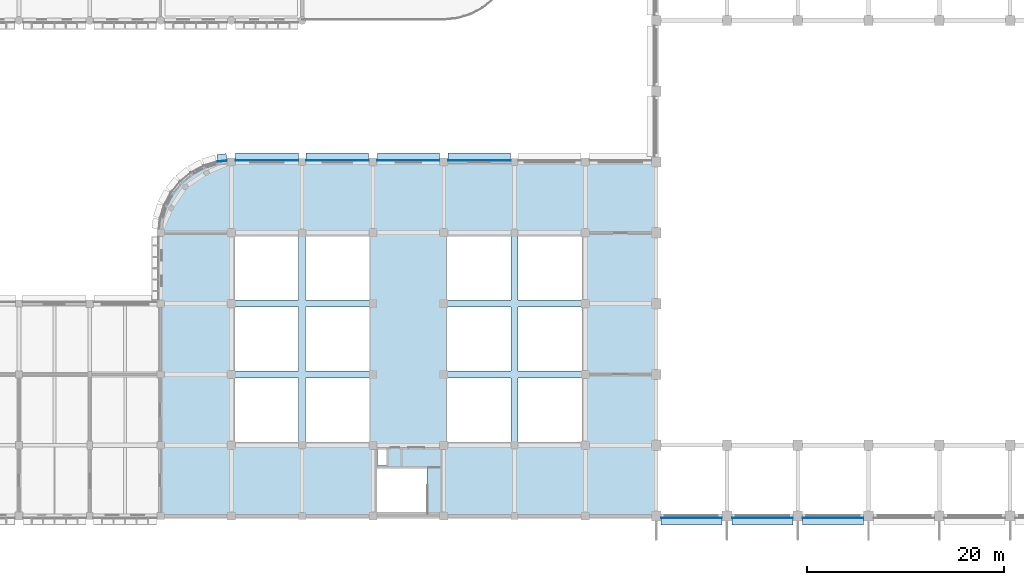
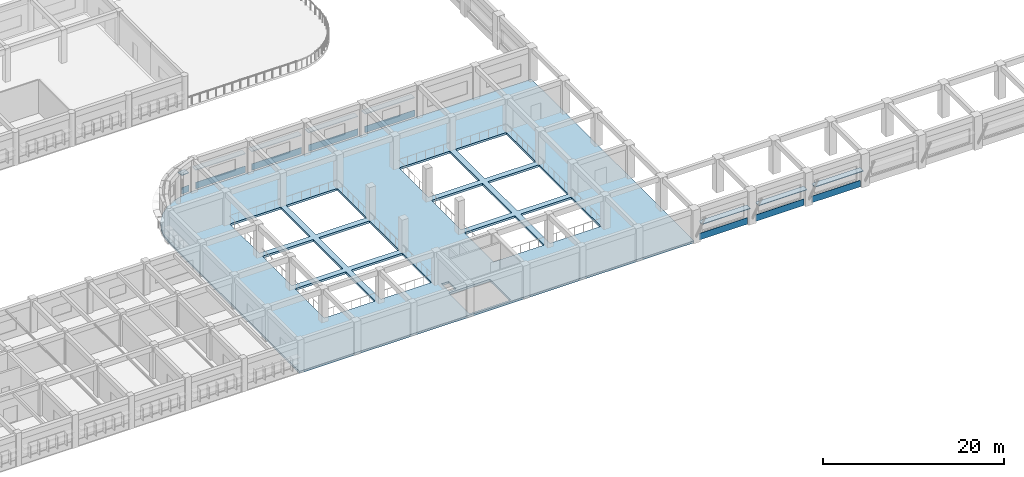
# One storey, part 20 of 61: 16 plates, 1 slab.
"""IFC4 building model written with IfcOpenShell, lengths in metres."""

from ifc_helpers import new_model, si_unit, direction, frame, origin, origin_2d, place, context, subcontext, project, spatial, polyline, rectangle, outline, extrude, material, layer, layer_set, type_object, element, save


model = new_model("IFC4")

# Units and contexts
model_context = context("Model", 3, precision=1e-05, world=origin(), true_north=direction((0.0, 1.0)))
body_context = subcontext(model_context, "Body", "Model", "MODEL_VIEW")
ifc_project = project(units=[si_unit("LENGTHUNIT", "METRE"), si_unit("AREAUNIT", "SQUARE_METRE"), si_unit("VOLUMEUNIT", "CUBIC_METRE"), si_unit("PLANEANGLEUNIT", "RADIAN"), si_unit("MASSUNIT", "GRAM", prefix="KILO")], contexts=[model_context])

# Site, building, storey
site_placement = place(None, origin())
site = spatial("IfcSite", under=ifc_project, at=site_placement, CompositionType="ELEMENT")
building_placement = place(site_placement, origin())
building = spatial("IfcBuilding", under=site, at=building_placement, Name="Thalmaran Polytechnic", CompositionType="ELEMENT")
storey_placement = place(building_placement, frame((0.0, 0.0, 9.89990234375)))
storey = spatial("IfcBuildingStorey", under=building, at=storey_placement, Name="L02", CompositionType="ELEMENT", Elevation=9.89990234375)

# Plates
ifc_material_1 = material(Name="Anodised aluminium spandrel band", Category="aluminium")
ifc_layer_1 = layer(ifc_material_1, 0.054931640625, Name="Anodised aluminium spandrel band")
ifc_layer_set_1 = layer_set([ifc_layer_1], Name="Anodised aluminium spandrel band")
plate_type_1 = type_object("IfcPlateType", Name="PT-BD01", PredefinedType="SHEET", material=ifc_layer_set_1)
for number, where, z_axis, x_axis, name in (
    (1, (125.987548828125, -0.195068359375, 0.020263671875), (0.0, 0.0, 1.0), (-1.0, 0.0, 0.0), "Streamline Horizontal Spandrel Band L02-075"),
    (2, (118.8125, -0.195068359375, 0.020263671875), (0.0, 0.0, 1.0), (-1.0, 0.0, 0.0), "Streamline Horizontal Spandrel Band L02-076"),
    (3, (111.58740234375, -0.195068359375, 0.020263671875), (0.0, 0.0, 1.0), (-1.0, 0.0, 0.0), "Streamline Horizontal Spandrel Band L02-077"),
):
    element("IfcPlate", number, at=place(storey_placement, frame(where, z_axis=z_axis, x_axis=x_axis)), inside=storey, type_object=plate_type_1, Name=name, PredefinedType="SHEET", context=body_context, shape_type="SweptSolid", body=[
        extrude(rectangle(XDim=6.18505859375, YDim=0.054931640625, at=origin_2d()), origin(), (0.0, 0.0, 1.0), 0.8798828125),
    ])
plate_1_placement = place(storey_placement, frame((63.86865234375, 36.089111328125, 0.020263671875), z_axis=(0.0, 0.0, 1.0), x_axis=(0.995184726672, 0.09801714033, 0.0)))
element("IfcPlate", 4, at=plate_1_placement, inside=storey, type_object=plate_type_1, Name="Streamline Horizontal Spandrel Band L02-146", PredefinedType="SHEET", context=body_context, shape_type="SweptSolid", body=[
    extrude(rectangle(XDim=0.9462890625, YDim=0.054931640625, at=origin_2d()), origin(), (0.0, 0.0, 1.0), 0.8798828125),
])
for number, where, z_axis, x_axis, name in (
    (5, (68.425048828125, 36.179931640625, 0.020263671875), (0.0, 0.0, 1.0), (1.0, 0.0, 0.0), "Streamline Horizontal Spandrel Band L02-147"),
    (6, (75.574951171875, 36.179931640625, 0.020263671875), (0.0, 0.0, 1.0), (1.0, 0.0, 0.0), "Streamline Horizontal Spandrel Band L02-148"),
):
    element("IfcPlate", number, at=place(storey_placement, frame(where, z_axis=z_axis, x_axis=x_axis)), inside=storey, type_object=plate_type_1, Name=name, PredefinedType="SHEET", context=body_context, shape_type="SweptSolid", body=[
        extrude(rectangle(XDim=6.360107421875, YDim=0.054931640625, at=origin_2d()), origin(), (0.0, 0.0, 1.0), 0.8798828125),
    ])
plate_2_placement = place(storey_placement, frame((82.800048828125, 36.179931640625, 0.020263671875), z_axis=(0.0, 0.0, 1.0), x_axis=(1.0, 0.0, 0.0)))
element("IfcPlate", 7, at=plate_2_placement, inside=storey, type_object=plate_type_1, Name="Streamline Horizontal Spandrel Band L02-149", PredefinedType="SHEET", context=body_context, shape_type="SweptSolid", body=[
    extrude(rectangle(XDim=6.31005859375, YDim=0.054931640625, at=origin_2d()), origin(), (0.0, 0.0, 1.0), 0.8798828125),
])
plate_3_placement = place(storey_placement, frame((90.02490234375, 36.179931640625, 0.020263671875), z_axis=(0.0, 0.0, 1.0), x_axis=(1.0, 0.0, 0.0)))
element("IfcPlate", 8, at=plate_3_placement, inside=storey, type_object=plate_type_1, Name="Streamline Horizontal Spandrel Band L02-150", PredefinedType="SHEET", context=body_context, shape_type="SweptSolid", body=[
    extrude(rectangle(XDim=6.360107421875, YDim=0.054931640625, at=origin_2d()), origin(), (0.0, 0.0, 1.0), 0.8798828125),
])
ifc_material_2 = material(Name="Anodised aluminium sun-hood eyebrow", Category="aluminium")
ifc_layer_2 = layer(ifc_material_2, 0.0849609375, Name="Anodised aluminium sun-hood eyebrow")
ifc_layer_set_2 = layer_set([ifc_layer_2], Name="Anodised aluminium sun-hood eyebrow")
plate_type_2 = type_object("IfcPlateType", Name="PT-EB01", PredefinedType="SHEET", material=ifc_layer_set_2)
for number, where, z_axis, x_axis, name in (
    (9, (125.987548828125, -0.5400390625, 2.517578125), (0.0, 0.0, 1.0), (-1.0, 0.0, 0.0), "Streamline Sun-Hood Eyebrow L02-075"),
    (10, (118.8125, -0.5400390625, 2.517578125), (0.0, 0.0, 1.0), (-1.0, 0.0, 0.0), "Streamline Sun-Hood Eyebrow L02-076"),
    (11, (111.58740234375, -0.5400390625, 2.517578125), (0.0, 0.0, 1.0), (-1.0, 0.0, 0.0), "Streamline Sun-Hood Eyebrow L02-077"),
):
    element("IfcPlate", number, at=place(storey_placement, frame(where, z_axis=z_axis, x_axis=x_axis)), inside=storey, type_object=plate_type_2, Name=name, PredefinedType="SHEET", context=body_context, shape_type="SweptSolid", body=[
        extrude(rectangle(XDim=6.18505859375, YDim=0.760009765625, at=origin_2d()), origin(), (0.0, 0.0, 1.0), 0.0849609375),
    ])
plate_4_placement = place(storey_placement, frame((63.834716796875, 36.432373046875, 2.517578125), z_axis=(0.0, 0.0, 1.0), x_axis=(0.995184726672, 0.09801714033, 0.0)))
element("IfcPlate", 12, at=plate_4_placement, inside=storey, type_object=plate_type_2, Name="Streamline Sun-Hood Eyebrow L02-146", PredefinedType="SHEET", context=body_context, shape_type="SweptSolid", body=[
    extrude(rectangle(XDim=0.9462890625, YDim=0.760009765625, at=origin_2d()), origin(), (0.0, 0.0, 1.0), 0.0849609375),
])
for number, where, z_axis, x_axis, name in (
    (13, (68.425048828125, 36.52490234375, 2.517578125), (0.0, 0.0, 1.0), (1.0, 0.0, 0.0), "Streamline Sun-Hood Eyebrow L02-147"),
    (14, (75.574951171875, 36.52490234375, 2.517578125), (0.0, 0.0, 1.0), (1.0, 0.0, 0.0), "Streamline Sun-Hood Eyebrow L02-148"),
):
    element("IfcPlate", number, at=place(storey_placement, frame(where, z_axis=z_axis, x_axis=x_axis)), inside=storey, type_object=plate_type_2, Name=name, PredefinedType="SHEET", context=body_context, shape_type="SweptSolid", body=[
        extrude(rectangle(XDim=6.360107421875, YDim=0.760009765625, at=origin_2d()), origin(), (0.0, 0.0, 1.0), 0.0849609375),
    ])
plate_5_placement = place(storey_placement, frame((82.800048828125, 36.52490234375, 2.517578125), z_axis=(0.0, 0.0, 1.0), x_axis=(1.0, 0.0, 0.0)))
element("IfcPlate", 15, at=plate_5_placement, inside=storey, type_object=plate_type_2, Name="Streamline Sun-Hood Eyebrow L02-149", PredefinedType="SHEET", context=body_context, shape_type="SweptSolid", body=[
    extrude(rectangle(XDim=6.31005859375, YDim=0.760009765625, at=origin_2d()), origin(), (0.0, 0.0, 1.0), 0.0849609375),
])
plate_6_placement = place(storey_placement, frame((90.02490234375, 36.52490234375, 2.517578125), z_axis=(0.0, 0.0, 1.0), x_axis=(1.0, 0.0, 0.0)))
element("IfcPlate", 16, at=plate_6_placement, inside=storey, type_object=plate_type_2, Name="Streamline Sun-Hood Eyebrow L02-150", PredefinedType="SHEET", context=body_context, shape_type="SweptSolid", body=[
    extrude(rectangle(XDim=6.360107421875, YDim=0.760009765625, at=origin_2d()), origin(), (0.0, 0.0, 1.0), 0.0849609375),
])

# Slab
ifc_material_3 = material(Name="Concrete C40/50", Category="concrete")
ifc_layer_3 = layer(ifc_material_3, 0.2900390625, Name="Concrete C40/50")
ifc_layer_set_3 = layer_set([ifc_layer_3], Name="Concrete C40/50")
slab_type = type_object("IfcSlabType", Name="SL-FL04", PredefinedType="FLOOR", material=ifc_layer_set_3)
slab_placement = place(storey_placement, frame((0.0, 0.0, -0.289794921875)))
element("IfcSlab", 17, at=slab_placement, inside=storey, type_object=slab_type, Name="V3 L02 Structural Slab", PredefinedType="FLOOR", context=body_context, shape_type="SweptSolid", body=[
    extrude(outline(polyline([(57.60009765625, 7.199951171875), (57.60009765625, 14.39990234375), (57.60009765625, 21.60009765625), (57.60009765625, 28.800048828125), (57.73828125, 30.20458984375), (58.14794921875, 31.555419921875), (58.8134765625, 32.800048828125), (59.708740234375, 33.89111328125), (60.7998046875, 34.78662109375), (62.044677734375, 35.451904296875), (63.395263671875, 35.861572265625), (64.800048828125, 36.0), (72.0, 36.0), (79.199951171875, 36.0), (86.39990234375, 36.0), (93.60009765625, 36.0), (100.800048828125, 36.0), (108.0, 36.0), (108.0, 28.800048828125), (108.0, 21.60009765625), (108.0, 14.39990234375), (108.0, 7.199951171875), (108.0, 0.0), (100.800048828125, 0.0), (93.60009765625, 0.0), (86.39990234375, 0.0), (79.199951171875, 0.0), (72.0, 0.0), (64.800048828125, 0.0), (57.60009765625, 0.0), (57.60009765625, 7.199951171875)]), holes=[polyline([(93.949951171875, 7.550048828125), (100.449951171875, 7.550048828125), (100.449951171875, 14.050048828125), (93.949951171875, 14.050048828125), (93.949951171875, 7.550048828125)]), polyline([(93.949951171875, 21.949951171875), (100.449951171875, 21.949951171875), (100.449951171875, 28.449951171875), (93.949951171875, 28.449951171875), (93.949951171875, 21.949951171875)]), polyline([(100.449951171875, 14.75), (100.449951171875, 21.25), (93.949951171875, 21.25), (93.949951171875, 14.75), (100.449951171875, 14.75)]), polyline([(86.75, 14.75), (93.25, 14.75), (93.25, 21.25), (86.75, 21.25), (86.75, 14.75)]), polyline([(86.75, 21.949951171875), (93.25, 21.949951171875), (93.25, 28.449951171875), (86.75, 28.449951171875), (86.75, 21.949951171875)]), polyline([(93.25, 7.550048828125), (93.25, 14.050048828125), (86.75, 14.050048828125), (86.75, 7.550048828125), (93.25, 7.550048828125)]), polyline([(79.449951171875, 4.840087890625), (79.449951171875, 0.25), (84.719970703125, 0.25), (84.719970703125, 4.840087890625), (79.449951171875, 4.840087890625)]), polyline([(80.56005859375, 6.760009765625), (79.639892578125, 6.760009765625), (79.639892578125, 5.139892578125), (80.56005859375, 5.139892578125), (80.56005859375, 6.760009765625)]), polyline([(72.35009765625, 7.550048828125), (78.85009765625, 7.550048828125), (78.85009765625, 14.050048828125), (72.35009765625, 14.050048828125), (72.35009765625, 7.550048828125)]), polyline([(72.35009765625, 21.949951171875), (78.85009765625, 21.949951171875), (78.85009765625, 28.449951171875), (72.35009765625, 28.449951171875), (72.35009765625, 21.949951171875)]), polyline([(78.85009765625, 14.75), (78.85009765625, 21.25), (72.35009765625, 21.25), (72.35009765625, 14.75), (78.85009765625, 14.75)]), polyline([(65.14990234375, 14.75), (71.64990234375, 14.75), (71.64990234375, 21.25), (65.14990234375, 21.25), (65.14990234375, 14.75)]), polyline([(65.14990234375, 21.949951171875), (71.64990234375, 21.949951171875), (71.64990234375, 28.449951171875), (65.14990234375, 28.449951171875), (65.14990234375, 21.949951171875)]), polyline([(71.64990234375, 7.550048828125), (71.64990234375, 14.050048828125), (65.14990234375, 14.050048828125), (65.14990234375, 7.550048828125), (71.64990234375, 7.550048828125)])]), origin(), (0.0, 0.0, 1.0), 0.289794921875),
])

save(model, "model.ifc")
